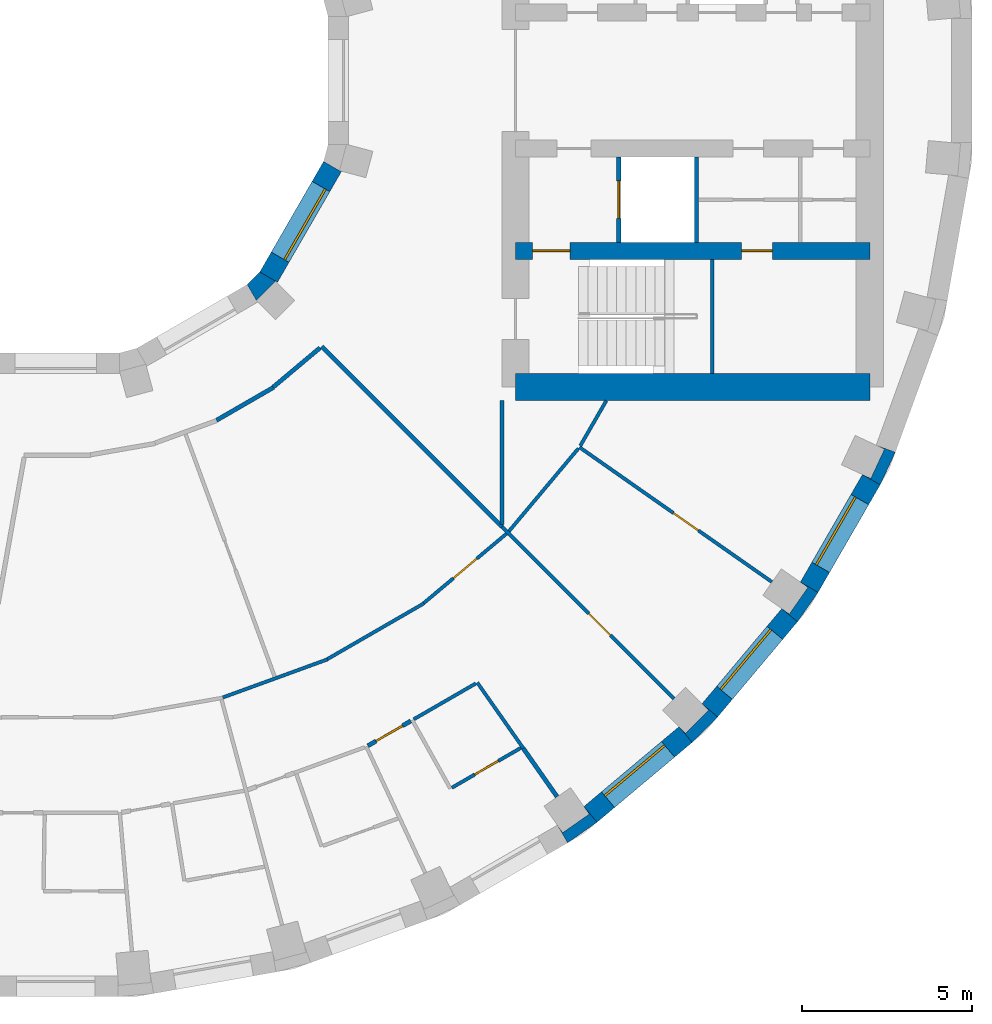
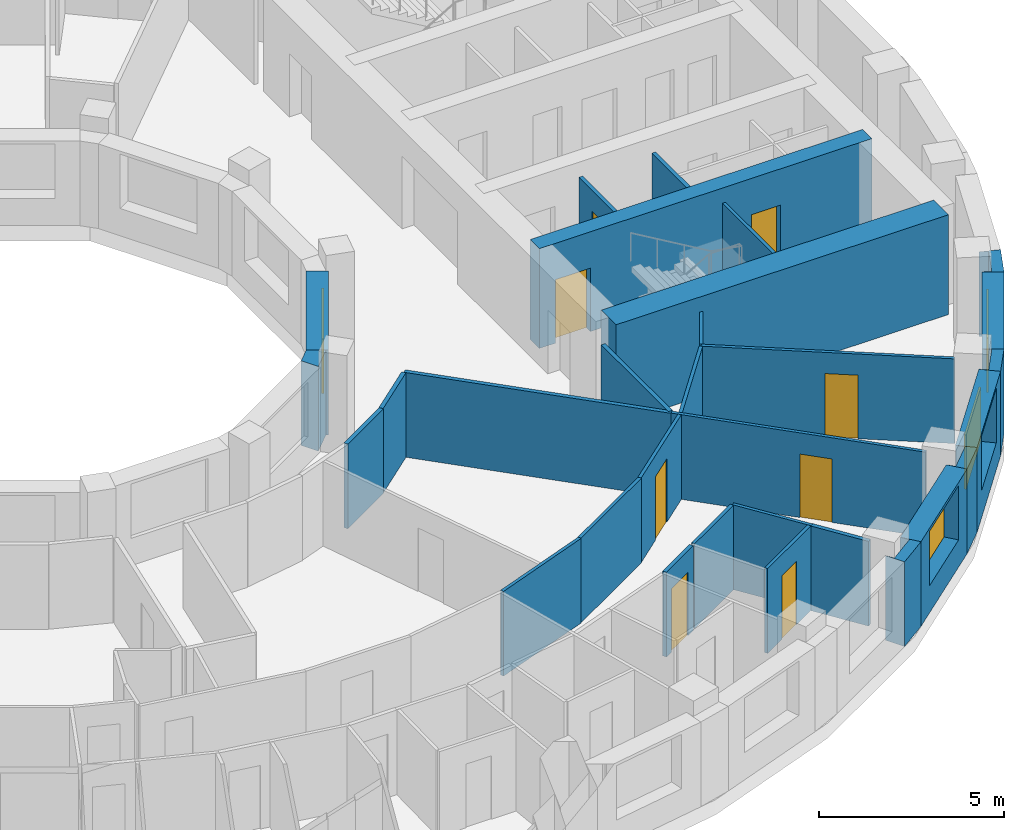
# One storey, part 8 of 14: 30 walls, 8 doors, 4 windows, 12 openings.
"""IFC4 building model written with IfcOpenShell, lengths in metres."""

from ifc_helpers import new_model, si_unit, direction, frame, frame_2d, origin, place, context, subcontext, project, spatial, polyline, rectangle, outline, extrude, material, layer, layer_set, type_object, element, fill, save


model = new_model("IFC4")

# Units and contexts
model_context = context("Model", 3, precision=1e-05, world=origin(), true_north=direction((0.0, 1.0)))
body_context = subcontext(model_context, "Body", "Model", "MODEL_VIEW")
ifc_project = project(units=[si_unit("LENGTHUNIT", "METRE"), si_unit("AREAUNIT", "SQUARE_METRE"), si_unit("VOLUMEUNIT", "CUBIC_METRE"), si_unit("PLANEANGLEUNIT", "RADIAN"), si_unit("MASSUNIT", "GRAM", prefix="KILO")], contexts=[model_context])

# Site, building, storey
site_placement = place(None, origin())
site = spatial("IfcSite", under=ifc_project, at=site_placement, CompositionType="ELEMENT")
building_placement = place(site_placement, origin())
building = spatial("IfcBuilding", under=site, at=building_placement, Name="Saqina Gate Tower", CompositionType="ELEMENT")
storey_placement = place(building_placement, frame((0.0, 0.0, 98.5)))
storey = spatial("IfcBuildingStorey", under=building, at=storey_placement, Name="L27", CompositionType="ELEMENT", Elevation=98.5)

# Walls
ifc_material_1 = material(Name="Brick masonry (buff)", Category="masonry")
wall_type_1 = type_object("IfcWallType", Name="BRICK PIER COPING BUFF", PredefinedType="SOLIDWALL", material=ifc_material_1)
wall_1_placement = place(storey_placement, origin())
element("IfcWall", 1, at=wall_1_placement, inside=storey, type_object=wall_type_1, Name="Pier cap L27 column 31", PredefinedType="SOLIDWALL", context=body_context, shape_type="SweptSolid", body=[
    extrude(outline(polyline([(15.89208984375, -21.77685546875), (15.50634765625, -21.317138671875), (15.66064453125, -21.53759765625), (14.88232421875, -22.08251953125), (14.728271484375, -21.862060546875), (15.0283203125, -22.3818359375), (15.89208984375, -21.77685546875)])), origin(), (0.0, 0.0, 1.0), 2.800048828125),
])
wall_2_placement = place(storey_placement, origin())
element("IfcWall", 2, at=wall_2_placement, inside=storey, type_object=wall_type_1, Name="Pier cap L27 column 32", PredefinedType="SOLIDWALL", context=body_context, shape_type="SweptSolid", body=[
    extrude(outline(polyline([(18.686279296875, -19.43212890625), (19.43212890625, -18.686279296875), (18.972412109375, -18.30078125), (19.16259765625, -18.49072265625), (18.49072265625, -19.16259765625), (18.30078125, -18.972412109375), (18.686279296875, -19.43212890625)])), origin(), (0.0, 0.0, 1.0), 2.800048828125),
])
wall_3_placement = place(storey_placement, origin())
element("IfcWall", 3, at=wall_3_placement, inside=storey, type_object=wall_type_1, Name="Pier cap L27 column 33", PredefinedType="SOLIDWALL", context=body_context, shape_type="SweptSolid", body=[
    extrude(outline(polyline([(22.3818359375, -15.0283203125), (21.862060546875, -14.728271484375), (22.08251953125, -14.88232421875), (21.53759765625, -15.66064453125), (21.317138671875, -15.50634765625), (21.77685546875, -15.89208984375), (22.3818359375, -15.0283203125)])), origin(), (0.0, 0.0, 1.0), 2.800048828125),
])
wall_4_placement = place(storey_placement, origin())
element("IfcWall", 4, at=wall_4_placement, inside=storey, type_object=wall_type_1, Name="Pier cap L27 column 34", PredefinedType="SOLIDWALL", context=body_context, shape_type="SweptSolid", body=[
    extrude(outline(polyline([(24.6513671875, -10.913330078125), (24.08740234375, -10.7080078125), (24.331298828125, -10.82177734375), (23.9296875, -11.6826171875), (23.68603515625, -11.569091796875), (24.205810546875, -11.869140625), (24.6513671875, -10.913330078125)])), origin(), (0.0, 0.0, 1.0), 2.800048828125),
])

# Wall, opening, window
ifc_material_2 = material(Name="Brick masonry (buff)", Category="masonry")
ifc_layer_1 = layer(ifc_material_2, 0.60009765625)
ifc_layer_set_1 = layer_set([ifc_layer_1], Name="FW-BRICK-BUFF")
wall_type_2 = type_object("IfcWallType", Name="FW-BRICK-BUFF", PredefinedType="SOLIDWALL", material=ifc_layer_set_1)
wall_5_placement = place(storey_placement, frame((15.69921875, -21.547119140625, 0.0), z_axis=(0.0, 0.0, 1.0), x_axis=(0.766055462616, 0.642774476932, 0.0)))
wall_5 = element("IfcWall", 5, at=wall_5_placement, inside=storey, type_object=wall_type_2, Name="Facade wall L27 facet 31", PredefinedType="SOLIDWALL", context=body_context, shape_type="SweptSolid", body=[
    extrude(rectangle(XDim=3.647705078125, YDim=0.60009765625, at=frame_2d((1.82373046875, 0.0))), origin(), (0.0, 0.0, 1.0), 2.800048828125),
])
opening_1_placement = place(wall_5_placement, frame((0.673828125, 0.0, 0.89990234375)))
opening_1 = element("IfcOpeningElement", 6, at=opening_1_placement, cuts=wall_5, Name="Opening G07-W20", PredefinedType="OPENING", context=body_context, shape_type="SweptSolid", body=[
    extrude(rectangle(XDim=2.300048828125, YDim=1.800048828125, at=frame_2d((1.14990234375, 0.89990234375))), frame((0.0, 0.31201171875, 0.0), z_axis=(0.0, -1.0, 0.0), x_axis=(1.0, 0.0, 0.0)), (0.0, 0.0, 1.0), 0.6240234375),
])
ifc_material_3 = material(Name="Aluminium glazing", Category="aluminium")
window_type_1 = type_object("IfcWindowType", Name="WN-B", PartitioningType="SINGLE_PANEL", PredefinedType="WINDOW", material=ifc_material_3)
window_1_placement = place(opening_1_placement, origin())
window_1 = element("IfcWindow", 7, at=window_1_placement, inside=storey, type_object=window_type_1, Name="Window L27 facet 31", OverallHeight=1.800048828125, OverallWidth=2.300048828125, PartitioningType="SINGLE_PANEL", PredefinedType="WINDOW", context=body_context, shape_type="SweptSolid", body=[
    extrude(rectangle(XDim=2.300048828125, YDim=1.800048828125, at=frame_2d((1.14990234375, 0.89990234375))), frame((0.0, 0.179931640625, 0.0), z_axis=(0.0, -1.0, 0.0), x_axis=(1.0, 0.0, 0.0)), (0.0, 0.0, 1.0), 0.06005859375),
])
fill(opening_1, window_1)

wall_6_placement = place(storey_placement, frame((19.202392578125, -18.49365234375, 0.0), z_axis=(0.0, 0.0, 1.0), x_axis=(0.642774476932, 0.766055462616, 0.0)))
wall_6 = element("IfcWall", 8, at=wall_6_placement, inside=storey, type_object=wall_type_2, Name="Facade wall L27 facet 32", PredefinedType="SOLIDWALL", context=body_context, shape_type="SweptSolid", body=[
    extrude(rectangle(XDim=3.647705078125, YDim=0.60009765625, at=frame_2d((1.82373046875, 0.0))), origin(), (0.0, 0.0, 1.0), 2.800048828125),
])
opening_2_placement = place(wall_6_placement, frame((0.673828125, 0.0, 0.89990234375)))
opening_2 = element("IfcOpeningElement", 9, at=opening_2_placement, cuts=wall_6, Name="Opening G07-W21", PredefinedType="OPENING", context=body_context, shape_type="SweptSolid", body=[
    extrude(rectangle(XDim=2.300048828125, YDim=1.800048828125, at=frame_2d((1.14990234375, 0.89990234375))), frame((0.0, 0.31201171875, 0.0), z_axis=(0.0, -1.0, 0.0), x_axis=(1.0, 0.0, 0.0)), (0.0, 0.0, 1.0), 0.6240234375),
])
window_2_placement = place(opening_2_placement, origin())
window_2 = element("IfcWindow", 10, at=window_2_placement, inside=storey, type_object=window_type_1, Name="Window L27 facet 32", OverallHeight=1.800048828125, OverallWidth=2.300048828125, PartitioningType="SINGLE_PANEL", PredefinedType="WINDOW", context=body_context, shape_type="SweptSolid", body=[
    extrude(rectangle(XDim=2.300048828125, YDim=1.800048828125, at=frame_2d((1.14990234375, 0.89990234375))), frame((0.0, 0.179931640625, 0.0), z_axis=(0.0, -1.0, 0.0), x_axis=(1.0, 0.0, 0.0)), (0.0, 0.0, 1.0), 0.06005859375),
])
fill(opening_2, window_2)

wall_7_placement = place(storey_placement, frame((22.1220703125, -14.878173828125, 0.0), z_axis=(0.0, 0.0, 1.0), x_axis=(0.499954196102, 0.866051847062, 0.0)))
wall_7 = element("IfcWall", 11, at=wall_7_placement, inside=storey, type_object=wall_type_2, Name="Facade wall L27 facet 33", PredefinedType="SOLIDWALL", context=body_context, shape_type="SweptSolid", body=[
    extrude(rectangle(XDim=3.647705078125, YDim=0.60009765625, at=frame_2d((1.82373046875, 0.0))), origin(), (0.0, 0.0, 1.0), 2.800048828125),
])
opening_3_placement = place(wall_7_placement, frame((0.673828125, 0.0, 0.89990234375)))
opening_3 = element("IfcOpeningElement", 12, at=opening_3_placement, cuts=wall_7, Name="Opening G07-W22", PredefinedType="OPENING", context=body_context, shape_type="SweptSolid", body=[
    extrude(rectangle(XDim=2.300048828125, YDim=1.800048828125, at=frame_2d((1.14990234375, 0.89990234375))), frame((0.0, 0.31201171875, 0.0), z_axis=(0.0, -1.0, 0.0), x_axis=(1.0, 0.0, 0.0)), (0.0, 0.0, 1.0), 0.6240234375),
])
window_3_placement = place(opening_3_placement, origin())
window_3 = element("IfcWindow", 13, at=window_3_placement, inside=storey, type_object=window_type_1, Name="Window L27 facet 33", OverallHeight=1.800048828125, OverallWidth=2.300048828125, PartitioningType="SINGLE_PANEL", PredefinedType="WINDOW", context=body_context, shape_type="SweptSolid", body=[
    extrude(rectangle(XDim=2.300048828125, YDim=1.800048828125, at=frame_2d((1.14990234375, 0.89990234375))), frame((0.0, 0.179931640625, 0.0), z_axis=(0.0, -1.0, 0.0), x_axis=(1.0, 0.0, 0.0)), (0.0, 0.0, 1.0), 0.06005859375),
])
fill(opening_3, window_3)

ifc_material_4 = material(Name="Glazed ceramic tile", Category="ceramic")
ifc_layer_2 = layer(ifc_material_4, 0.60009765625)
ifc_layer_set_2 = layer_set([ifc_layer_2], Name="IW-TILE")
wall_type_3 = type_object("IfcWallType", Name="IW-TILE", PredefinedType="SOLIDWALL", material=ifc_layer_set_2)
wall_8_placement = place(storey_placement, frame((6.251220703125, -5.772705078125, 0.0), z_axis=(0.0, 0.0, 1.0), x_axis=(0.499964958637, 0.86604563398, 0.0)))
wall_8 = element("IfcWall", 14, at=wall_8_placement, inside=storey, type_object=wall_type_3, Name="Well wall L27 facet 11", PredefinedType="SOLIDWALL", context=body_context, shape_type="SweptSolid", body=[
    extrude(rectangle(XDim=3.747314453125, YDim=0.60009765625, at=frame_2d((1.87353515625, 0.0))), origin(), (0.0, 0.0, 1.0), 2.800048828125),
])
opening_4_placement = place(wall_8_placement, frame((0.673583984375, 0.0, 0.89990234375)))
opening_4 = element("IfcOpeningElement", 15, at=opening_4_placement, cuts=wall_8, Name="Opening G07-W33", PredefinedType="OPENING", context=body_context, shape_type="SweptSolid", body=[
    extrude(rectangle(XDim=2.39990234375, YDim=1.800048828125, at=frame_2d((1.199951171875, 0.89990234375))), frame((0.0, 0.31201171875, 0.0), z_axis=(0.0, -1.0, 0.0), x_axis=(1.0, 0.0, 0.0)), (0.0, 0.0, 1.0), 0.6240234375),
])
ifc_material_5 = material(Name="Aluminium glazing", Category="aluminium")
window_type_2 = type_object("IfcWindowType", Name="WN-W", PartitioningType="SINGLE_PANEL", PredefinedType="WINDOW", material=ifc_material_5)
window_4_placement = place(opening_4_placement, origin())
window_4 = element("IfcWindow", 16, at=window_4_placement, inside=storey, type_object=window_type_2, Name="Well window L27 facet 11", OverallHeight=1.800048828125, OverallWidth=2.39990234375, PartitioningType="SINGLE_PANEL", PredefinedType="WINDOW", context=body_context, shape_type="SweptSolid", body=[
    extrude(rectangle(XDim=2.39990234375, YDim=1.800048828125, at=frame_2d((1.199951171875, 0.89990234375))), frame((0.0, -0.119873046875, 0.0), z_axis=(0.0, -1.0, 0.0), x_axis=(1.0, 0.0, 0.0)), (0.0, 0.0, 1.0), 0.06005859375),
])
fill(opening_4, window_4)

# Wall
ifc_material_6 = material(Name="Gypsum board on steel studs, 100 mm", Category="steel")
ifc_layer_3 = layer(ifc_material_6, 0.10009765625)
ifc_layer_set_3 = layer_set([ifc_layer_3], Name="PARTITION 100")
wall_type_4 = type_object("IfcWallType", Name="PARTITION 100", PredefinedType="PARTITIONING", material=ifc_layer_set_3)
wall_9_placement = place(storey_placement, frame((12.376953125, -17.677001953125, 0.0), z_axis=(0.0, 0.0, 1.0), x_axis=(0.573802663203, -0.818993591978, 0.0)))
element("IfcWall", 17, at=wall_9_placement, inside=storey, type_object=wall_type_4, Name="PARTITION PW3-14", PredefinedType="PARTITIONING", context=body_context, shape_type="SweptSolid", body=[
    extrude(rectangle(XDim=2.35888671875, YDim=0.10009765625, at=frame_2d((1.179443359375, 0.0))), origin(), (0.0, 0.0, 1.0), 2.800048828125),
])

# Wall, opening, door
wall_10_placement = place(storey_placement, frame((13.10009765625, -13.10009765625, 0.0), z_axis=(0.0, 0.0, 1.0), x_axis=(0.707106781187, -0.707106781187, 0.0)))
wall_10 = element("IfcWall", 18, at=wall_10_placement, inside=storey, type_object=wall_type_4, Name="PARTITION PW3-22", PredefinedType="PARTITIONING", context=body_context, shape_type="SweptSolid", body=[
    extrude(rectangle(XDim=7.138671875, YDim=0.10009765625, at=frame_2d((3.5693359375, 0.0))), origin(), (0.0, 0.0, 1.0), 2.800048828125),
])
opening_5_placement = place(wall_10_placement, frame((3.60888671875, 0.0, 0.0)))
opening_5 = element("IfcOpeningElement", 19, at=opening_5_placement, cuts=wall_10, Name="Opening G07-D49", PredefinedType="OPENING", context=body_context, shape_type="SweptSolid", body=[
    extrude(rectangle(XDim=0.89990234375, YDim=2.10009765625, at=frame_2d((0.449951171875, 1.050048828125))), frame((0.0, 0.06201171875, 0.0), z_axis=(0.0, -1.0, 0.0), x_axis=(1.0, 0.0, 0.0)), (0.0, 0.0, 1.0), 0.1240234375),
])
ifc_material_7 = material(Name="Timber door leaf, 900 mm", Category="wood")
door_type_1 = type_object("IfcDoorType", Name="DOOR 900 TIMBER", OperationType="SINGLE_SWING_LEFT", PredefinedType="DOOR", material=ifc_material_7)
door_1_placement = place(opening_5_placement, frame((0.89990234375, 0.0, 0.0), z_axis=(0.0, 0.0, 1.0), x_axis=(-1.0, 0.0, 0.0)))
door_1 = element("IfcDoor", 20, at=door_1_placement, inside=storey, type_object=door_type_1, Name="DOOR G07-D49", OperationType="SINGLE_SWING_LEFT", OverallHeight=2.10009765625, OverallWidth=0.89990234375, PredefinedType="DOOR", context=body_context, shape_type="SweptSolid", body=[
    extrude(rectangle(XDim=0.89990234375, YDim=2.10009765625, at=frame_2d((0.449951171875, 1.050048828125))), frame((0.0, 0.02490234375, 0.0), z_axis=(0.0, -1.0, 0.0), x_axis=(1.0, 0.0, 0.0)), (0.0, 0.0, 1.0), 0.050048828125),
])
fill(opening_5, door_1)

wall_11_placement = place(storey_placement, frame((15.3759765625, -10.76611328125, 0.0), z_axis=(0.0, 0.0, 1.0), x_axis=(0.819178682921, -0.573538390562, 0.0)))
wall_11 = element("IfcWall", 21, at=wall_11_placement, inside=storey, type_object=wall_type_4, Name="PARTITION PW3-29", PredefinedType="PARTITIONING", context=body_context, shape_type="SweptSolid", body=[
    extrude(rectangle(XDim=6.89453125, YDim=0.10009765625, at=frame_2d((3.447265625, 0.0))), origin(), (0.0, 0.0, 1.0), 2.800048828125),
])
opening_6_placement = place(wall_11_placement, frame((3.36474609375, 0.0, 0.0)))
opening_6 = element("IfcOpeningElement", 22, at=opening_6_placement, cuts=wall_11, Name="Opening G07-D50", PredefinedType="OPENING", context=body_context, shape_type="SweptSolid", body=[
    extrude(rectangle(XDim=0.89990234375, YDim=2.10009765625, at=frame_2d((0.449951171875, 1.050048828125))), frame((0.0, 0.06201171875, 0.0), z_axis=(0.0, -1.0, 0.0), x_axis=(1.0, 0.0, 0.0)), (0.0, 0.0, 1.0), 0.1240234375),
])
door_2_placement = place(opening_6_placement, origin())
door_2 = element("IfcDoor", 23, at=door_2_placement, inside=storey, type_object=door_type_1, Name="DOOR G07-D50", OperationType="SINGLE_SWING_RIGHT", OverallHeight=2.10009765625, OverallWidth=0.89990234375, PredefinedType="DOOR", context=body_context, shape_type="SweptSolid", body=[
    extrude(rectangle(XDim=0.89990234375, YDim=2.10009765625, at=frame_2d((0.449951171875, 1.050048828125))), frame((0.0, 0.02490234375, 0.0), z_axis=(0.0, -1.0, 0.0), x_axis=(1.0, 0.0, 0.0)), (0.0, 0.0, 1.0), 0.050048828125),
])
fill(opening_6, door_2)

# Wall
wall_12_placement = place(storey_placement, frame((4.905029296875, -18.114013671875, 0.0), z_axis=(0.0, 0.0, 1.0), x_axis=(0.939675767225, 0.342066444554, 0.0)))
element("IfcWall", 24, at=wall_12_placement, inside=storey, type_object=wall_type_4, Name="PARTITION PW3-67", PredefinedType="PARTITIONING", context=body_context, shape_type="SweptSolid", body=[
    extrude(rectangle(XDim=3.273193359375, YDim=0.10009765625, at=frame_2d((1.63671875, 0.0))), origin(), (0.0, 0.0, 1.0), 2.800048828125),
])

# Wall, opening, door
wall_13_placement = place(storey_placement, frame((11.63134765625, -20.762939453125, 0.0), z_axis=(0.0, 0.0, 1.0), x_axis=(0.866102146699, 0.499867053809, 0.0)))
wall_13 = element("IfcWall", 25, at=wall_13_placement, inside=storey, type_object=wall_type_4, Name="PARTITION PW3-71", PredefinedType="PARTITIONING", context=body_context, shape_type="SweptSolid", body=[
    extrude(rectangle(XDim=2.338623046875, YDim=0.10009765625, at=frame_2d((1.16943359375, 0.0))), origin(), (0.0, 0.0, 1.0), 2.800048828125),
])
opening_7_placement = place(wall_13_placement, frame((0.7705078125, 0.0, 0.0)))
opening_7 = element("IfcOpeningElement", 26, at=opening_7_placement, cuts=wall_13, Name="Opening G07-D47", PredefinedType="OPENING", context=body_context, shape_type="SweptSolid", body=[
    extrude(rectangle(XDim=0.800048828125, YDim=2.10009765625, at=frame_2d((0.39990234375, 1.050048828125))), frame((0.0, 0.06201171875, 0.0), z_axis=(0.0, -1.0, 0.0), x_axis=(1.0, 0.0, 0.0)), (0.0, 0.0, 1.0), 0.1240234375),
])
ifc_material_8 = material(Name="Timber door leaf, 800 mm", Category="wood")
door_type_2 = type_object("IfcDoorType", Name="DOOR 800 TIMBER", OperationType="SINGLE_SWING_LEFT", PredefinedType="DOOR", material=ifc_material_8)
door_3_placement = place(opening_7_placement, frame((0.800048828125, 0.0, 0.0), z_axis=(0.0, 0.0, 1.0), x_axis=(-1.0, 0.0, 0.0)))
door_3 = element("IfcDoor", 27, at=door_3_placement, inside=storey, type_object=door_type_2, Name="DOOR G07-D47", OperationType="SINGLE_SWING_LEFT", OverallHeight=2.10009765625, OverallWidth=0.800048828125, PredefinedType="DOOR", context=body_context, shape_type="SweptSolid", body=[
    extrude(rectangle(XDim=0.800048828125, YDim=2.10009765625, at=frame_2d((0.39990234375, 1.050048828125))), frame((0.0, 0.02490234375, 0.0), z_axis=(0.0, -1.0, 0.0), x_axis=(1.0, 0.0, 0.0)), (0.0, 0.0, 1.0), 0.050048828125),
])
fill(opening_7, door_3)

# Walls
wall_14_placement = place(storey_placement, frame((10.51123046875, -18.75390625, 0.0), z_axis=(0.0, 0.0, 1.0), x_axis=(0.866117845619, 0.499839851853, 0.0)))
element("IfcWall", 28, at=wall_14_placement, inside=storey, type_object=wall_type_4, Name="PARTITION PW3-72", PredefinedType="PARTITIONING", context=body_context, shape_type="SweptSolid", body=[
    extrude(rectangle(XDim=2.100341796875, YDim=0.10009765625, at=frame_2d((1.05029296875, 0.0))), origin(), (0.0, 0.0, 1.0), 2.800048828125),
])
wall_15_placement = place(storey_placement, frame((7.976318359375, -16.987060546875, 0.0), z_axis=(0.0, 0.0, 1.0), x_axis=(0.865970626093, 0.500094865745, 0.0)))
element("IfcWall", 29, at=wall_15_placement, inside=storey, type_object=wall_type_4, Name="PARTITION PW3-73", PredefinedType="PARTITIONING", context=body_context, shape_type="SweptSolid", body=[
    extrude(rectangle(XDim=3.272216796875, YDim=0.10009765625, at=frame_2d((1.63623046875, 0.0))), origin(), (0.0, 0.0, 1.0), 2.800048828125),
])

# Wall, opening, door
wall_16_placement = place(storey_placement, frame((10.80419921875, -15.34375, 0.0), z_axis=(0.0, 0.0, 1.0), x_axis=(0.766167094934, 0.642641410618, 0.0)))
wall_16 = element("IfcWall", 30, at=wall_16_placement, inside=storey, type_object=wall_type_4, Name="PARTITION PW3-78", PredefinedType="PARTITIONING", context=body_context, shape_type="SweptSolid", body=[
    extrude(rectangle(XDim=3.172119140625, YDim=0.10009765625, at=frame_2d((1.5859375, 0.0))), origin(), (0.0, 0.0, 1.0), 2.800048828125),
])
opening_8_placement = place(wall_16_placement, frame((1.135986328125, 0.0, 0.0)))
opening_8 = element("IfcOpeningElement", 31, at=opening_8_placement, cuts=wall_16, Name="Opening G07-D48", PredefinedType="OPENING", context=body_context, shape_type="SweptSolid", body=[
    extrude(rectangle(XDim=0.89990234375, YDim=2.10009765625, at=frame_2d((0.449951171875, 1.050048828125))), frame((0.0, 0.06201171875, 0.0), z_axis=(0.0, -1.0, 0.0), x_axis=(1.0, 0.0, 0.0)), (0.0, 0.0, 1.0), 0.1240234375),
])
door_4_placement = place(opening_8_placement, origin())
door_4 = element("IfcDoor", 32, at=door_4_placement, inside=storey, type_object=door_type_1, Name="DOOR G07-D48", OperationType="SINGLE_SWING_LEFT", OverallHeight=2.10009765625, OverallWidth=0.89990234375, PredefinedType="DOOR", context=body_context, shape_type="SweptSolid", body=[
    extrude(rectangle(XDim=0.89990234375, YDim=2.10009765625, at=frame_2d((0.449951171875, 1.050048828125))), frame((0.0, 0.02490234375, 0.0), z_axis=(0.0, -1.0, 0.0), x_axis=(1.0, 0.0, 0.0)), (0.0, 0.0, 1.0), 0.050048828125),
])
fill(opening_8, door_4)

# Walls
wall_17_placement = place(storey_placement, frame((13.30517578125, -13.234619140625, 0.0), z_axis=(0.0, 0.0, 1.0), x_axis=(0.642641410618, 0.766167094934, 0.0)))
element("IfcWall", 33, at=wall_17_placement, inside=storey, type_object=wall_type_4, Name="PARTITION PW3-82", PredefinedType="PARTITIONING", context=body_context, shape_type="SweptSolid", body=[
    extrude(rectangle(XDim=3.172119140625, YDim=0.10009765625, at=frame_2d((1.5859375, 0.0))), origin(), (0.0, 0.0, 1.0), 2.800048828125),
])
wall_18_placement = place(storey_placement, frame((15.401123046875, -10.72265625, 0.0), z_axis=(0.0, 0.0, 1.0), x_axis=(0.500035603698, 0.866004847004, 0.0)))
element("IfcWall", 34, at=wall_18_placement, inside=storey, type_object=wall_type_4, Name="PARTITION PW3-88", PredefinedType="PARTITIONING", context=body_context, shape_type="SweptSolid", body=[
    extrude(rectangle(XDim=1.52978515625, YDim=0.10009765625, at=frame_2d((0.764892578125, 0.0))), origin(), (0.0, 0.0, 1.0), 2.800048828125),
])
ifc_material_9 = material(Name="Gypsum board on steel studs, 125 mm, fire rated", Category="steel")
ifc_layer_4 = layer(ifc_material_9, 0.125)
ifc_layer_set_4 = layer_set([ifc_layer_4], Name="PARTITION EI 30 125")
wall_type_5 = type_object("IfcWallType", Name="PARTITION EI 30 125", PredefinedType="PARTITIONING", material=ifc_layer_set_4)
wall_19_placement = place(storey_placement, frame((13.728515625, -19.610107421875, 0.0), z_axis=(0.0, 0.0, 1.0), x_axis=(0.5734149023, -0.819265127917, 0.0)))
element("IfcWall", 35, at=wall_19_placement, inside=storey, type_object=wall_type_5, Name="PARTITION PW1-06", PredefinedType="PARTITIONING", context=body_context, shape_type="SweptSolid", body=[
    extrude(rectangle(XDim=1.726806640625, YDim=0.125, at=frame_2d((0.86328125, 0.0))), origin(), (0.0, 0.0, 1.0), 2.800048828125),
])
wall_20_placement = place(storey_placement, frame((7.80810546875, -7.80810546875, 0.0), z_axis=(0.0, 0.0, 1.0), x_axis=(0.707106781187, -0.707106781187, 0.0)))
element("IfcWall", 36, at=wall_20_placement, inside=storey, type_object=wall_type_5, Name="PARTITION PW1-10", PredefinedType="PARTITIONING", context=body_context, shape_type="SweptSolid", body=[
    extrude(rectangle(XDim=7.48388671875, YDim=0.125, at=frame_2d((3.741943359375, 0.0))), origin(), (0.0, 0.0, 1.0), 2.800048828125),
])

# Wall, opening, door
wall_21_placement = place(storey_placement, frame((9.163330078125, -19.532958984375, 0.0), z_axis=(0.0, 0.0, 1.0), x_axis=(0.865819905352, 0.500355764928, 0.0)))
wall_21 = element("IfcWall", 37, at=wall_21_placement, inside=storey, type_object=wall_type_5, Name="PARTITION PW1-39", PredefinedType="PARTITIONING", context=body_context, shape_type="SweptSolid", body=[
    extrude(rectangle(XDim=1.45703125, YDim=0.125, at=frame_2d((0.728515625, 0.0))), origin(), (0.0, 0.0, 1.0), 2.800048828125),
])
opening_9_placement = place(wall_21_placement, frame((0.278564453125, 0.0, 0.0)))
opening_9 = element("IfcOpeningElement", 38, at=opening_9_placement, cuts=wall_21, Name="Opening G07-D46", PredefinedType="OPENING", context=body_context, shape_type="SweptSolid", body=[
    extrude(rectangle(XDim=0.89990234375, YDim=2.10009765625, at=frame_2d((0.449951171875, 1.050048828125))), frame((0.0, 0.074462890625, 0.0), z_axis=(0.0, -1.0, 0.0), x_axis=(1.0, 0.0, 0.0)), (0.0, 0.0, 1.0), 0.14892578125),
])
ifc_material_10 = material(Name="Fire door leaf EI 30, 900 mm")
door_type_3 = type_object("IfcDoorType", Name="DOOR 900 EI 30", OperationType="SINGLE_SWING_LEFT", PredefinedType="DOOR", material=ifc_material_10)
door_5_placement = place(opening_9_placement, origin())
door_5 = element("IfcDoor", 39, at=door_5_placement, inside=storey, type_object=door_type_3, Name="DOOR G07-D46", OperationType="SINGLE_SWING_LEFT", OverallHeight=2.10009765625, OverallWidth=0.89990234375, PredefinedType="DOOR", context=body_context, shape_type="SweptSolid", body=[
    extrude(rectangle(XDim=0.89990234375, YDim=2.10009765625, at=frame_2d((0.449951171875, 1.050048828125))), frame((0.0, 0.02490234375, 0.0), z_axis=(0.0, -1.0, 0.0), x_axis=(1.0, 0.0, 0.0)), (0.0, 0.0, 1.0), 0.050048828125),
])
fill(opening_9, door_5)

# Walls
wall_22_placement = place(storey_placement, frame((4.72119140625, -9.975830078125, 0.0), z_axis=(0.0, 0.0, 1.0), x_axis=(0.865946867621, 0.500136003959, 0.0)))
element("IfcWall", 40, at=wall_22_placement, inside=storey, type_object=wall_type_5, Name="PARTITION PW1-40", PredefinedType="PARTITIONING", context=body_context, shape_type="SweptSolid", body=[
    extrude(rectangle(XDim=1.9248046875, YDim=0.125, at=frame_2d((0.96240234375, 0.0))), origin(), (0.0, 0.0, 1.0), 2.800048828125),
])
wall_23_placement = place(storey_placement, frame((6.380859375, -9.0048828125, 0.0), z_axis=(0.0, 0.0, 1.0), x_axis=(0.766182926266, 0.642622535785, 0.0)))
element("IfcWall", 41, at=wall_23_placement, inside=storey, type_object=wall_type_5, Name="PARTITION PW1-41", PredefinedType="PARTITIONING", context=body_context, shape_type="SweptSolid", body=[
    extrude(rectangle(XDim=1.800048828125, YDim=0.125, at=frame_2d((0.89990234375, 0.0))), origin(), (0.0, 0.0, 1.0), 2.800048828125),
])
wall_24_placement = place(storey_placement, frame((13.10009765625, -13.03759765625, 0.0), z_axis=(0.0, 0.0, 1.0), x_axis=(0.0, 1.0, 0.0)))
element("IfcWall", 42, at=wall_24_placement, inside=storey, type_object=wall_type_5, Name="PARTITION PW1-49", PredefinedType="PARTITIONING", context=body_context, shape_type="SweptSolid", body=[
    extrude(rectangle(XDim=3.6376953125, YDim=0.125, at=frame_2d((1.81884765625, 0.0))), origin(), (0.0, 0.0, 1.0), 2.800048828125),
])

# Wall, opening, door
ifc_material_11 = material(Name="Autoclaved aerated concrete block", Category="concrete")
ifc_layer_5 = layer(ifc_material_11, 0.1201171875)
ifc_layer_set_5 = layer_set([ifc_layer_5], Name="SHAFT PARTITION")
wall_type_6 = type_object("IfcWallType", Name="SHAFT PARTITION", PredefinedType="PARTITIONING", material=ifc_layer_set_5)
wall_25_placement = place(storey_placement, frame((16.530029296875, -4.75, 0.0), z_axis=(0.0, 0.0, 1.0), x_axis=(0.0, 1.0, 0.0)))
wall_25 = element("IfcWall", 43, at=wall_25_placement, inside=storey, type_object=wall_type_6, Name="L27-CP-E05", PredefinedType="PARTITIONING", context=body_context, shape_type="SweptSolid", body=[
    extrude(rectangle(XDim=2.5, YDim=0.1201171875, at=frame_2d((1.25, 0.0))), origin(), (0.0, 0.0, 1.0), 2.800048828125),
])
opening_10_placement = place(wall_25_placement, frame((0.699951171875, 0.0, 0.0)))
opening_10 = element("IfcOpeningElement", 44, at=opening_10_placement, cuts=wall_25, Name="Opening G07-LD2", PredefinedType="OPENING", context=body_context, shape_type="SweptSolid", body=[
    extrude(rectangle(XDim=1.10009765625, YDim=2.10009765625, at=frame_2d((0.550048828125, 1.050048828125))), frame((0.0, 0.072021484375, 0.0), z_axis=(0.0, -1.0, 0.0), x_axis=(1.0, 0.0, 0.0)), (0.0, 0.0, 1.0), 0.14404296875),
])
ifc_material_12 = material(Name="Stainless steel", Category="steel")
door_type_4 = type_object("IfcDoorType", Name="LANDING DOOR", OperationType="DOUBLE_DOOR_SLIDING", PredefinedType="DOOR", material=ifc_material_12)
door_6_placement = place(opening_10_placement, origin())
door_6 = element("IfcDoor", 45, at=door_6_placement, inside=storey, type_object=door_type_4, Name="LANDING DOOR FF1", OperationType="DOUBLE_DOOR_SLIDING", OverallHeight=2.10009765625, OverallWidth=1.10009765625, PredefinedType="DOOR", context=body_context, shape_type="SweptSolid", body=[
    extrude(rectangle(XDim=1.10009765625, YDim=2.10009765625, at=frame_2d((0.550048828125, 1.050048828125))), frame((0.0, 0.02490234375, 0.0), z_axis=(0.0, -1.0, 0.0), x_axis=(1.0, 0.0, 0.0)), (0.0, 0.0, 1.0), 0.050048828125),
])
fill(opening_10, door_6)

# Walls
wall_26_placement = place(storey_placement, frame((18.81005859375, -4.75, 0.0), z_axis=(0.0, 0.0, 1.0), x_axis=(0.0, 1.0, 0.0)))
element("IfcWall", 46, at=wall_26_placement, inside=storey, type_object=wall_type_6, Name="L27-CP-E06", PredefinedType="PARTITIONING", context=body_context, shape_type="SweptSolid", body=[
    extrude(rectangle(XDim=2.5, YDim=0.1201171875, at=frame_2d((1.25, 0.0))), origin(), (0.0, 0.0, 1.0), 2.800048828125),
])
ifc_material_13 = material(Name="Autoclaved aerated concrete block", Category="concrete")
ifc_layer_6 = layer(ifc_material_13, 0.10009765625)
ifc_layer_set_6 = layer_set([ifc_layer_6], Name="STAIR ENCLOSURE WALL")
wall_type_7 = type_object("IfcWallType", Name="STAIR ENCLOSURE WALL", PredefinedType="PARTITIONING", material=ifc_layer_set_6)
wall_27_placement = place(storey_placement, frame((19.27001953125, -8.60009765625, 0.0), z_axis=(0.0, 0.0, 1.0), x_axis=(0.0, 1.0, 0.0)))
element("IfcWall", 47, at=wall_27_placement, inside=storey, type_object=wall_type_7, Name="L27-CP-E14", PredefinedType="PARTITIONING", context=body_context, shape_type="SweptSolid", body=[
    extrude(rectangle(XDim=3.35009765625, YDim=0.10009765625, at=frame_2d((1.675048828125, 0.0))), origin(), (0.0, 0.0, 1.0), 2.800048828125),
])

# Wall, openings, doors
ifc_material_14 = material(Name="Concrete C70/85", Category="concrete")
ifc_layer_7 = layer(ifc_material_14, 0.5)
ifc_layer_set_7 = layer_set([ifc_layer_7], Name="Concrete C70/85")
wall_type_8 = type_object("IfcWallType", Name="STR-CORE WALL-B-I", PredefinedType="SHEAR", material=ifc_layer_set_7)
wall_28_placement = place(storey_placement, frame((13.5, -5.0, 0.0), z_axis=(0.0, 0.0, 1.0), x_axis=(1.0, 0.0, 0.0)))
wall_28 = element("IfcWall", 48, at=wall_28_placement, inside=storey, type_object=wall_type_8, Name="CORE WALL L27 E-X2", PredefinedType="SHEAR", context=body_context, shape_type="SweptSolid", body=[
    extrude(rectangle(XDim=10.39990234375, YDim=0.5, at=frame_2d((5.199951171875, 0.0))), origin(), (0.0, 0.0, 1.0), 3.300048828125),
])
opening_11_placement = place(wall_28_placement, frame((6.63916015625, 0.0, 0.0)))
opening_11 = element("IfcOpeningElement", 49, at=opening_11_placement, cuts=wall_28, Name="Opening G07-D136", PredefinedType="OPENING", context=body_context, shape_type="SweptSolid", body=[
    extrude(rectangle(XDim=0.89990234375, YDim=2.10009765625, at=frame_2d((0.449951171875, 1.050048828125))), frame((0.0, 0.261962890625, 0.0), z_axis=(0.0, -1.0, 0.0), x_axis=(1.0, 0.0, 0.0)), (0.0, 0.0, 1.0), 0.52392578125),
])
opening_12_placement = place(wall_28_placement, frame((0.5, 0.0, 0.0)))
opening_12 = element("IfcOpeningElement", 50, at=opening_12_placement, cuts=wall_28, Name="Opening G07-D101", PredefinedType="OPENING", context=body_context, shape_type="SweptSolid", body=[
    extrude(rectangle(XDim=1.10009765625, YDim=2.10009765625, at=frame_2d((0.550048828125, 1.050048828125))), frame((0.0, 0.261962890625, 0.0), z_axis=(0.0, -1.0, 0.0), x_axis=(1.0, 0.0, 0.0)), (0.0, 0.0, 1.0), 0.52392578125),
])
ifc_material_15 = material(Name="Steel", Category="steel")
door_type_5 = type_object("IfcDoorType", Name="FIRE LOBBY DOOR EI 60 WIDE", OperationType="SINGLE_SWING_LEFT", PredefinedType="DOOR", material=ifc_material_15)
door_7_placement = place(opening_12_placement, frame((1.10009765625, 0.0, 0.0), z_axis=(0.0, 0.0, 1.0), x_axis=(-1.0, 0.0, 0.0)))
door_7 = element("IfcDoor", 51, at=door_7_placement, inside=storey, type_object=door_type_5, Name="L27-CD-E15", OperationType="SINGLE_SWING_RIGHT", OverallHeight=2.10009765625, OverallWidth=1.10009765625, PredefinedType="DOOR", context=body_context, shape_type="SweptSolid", body=[
    extrude(rectangle(XDim=1.10009765625, YDim=2.10009765625, at=frame_2d((0.550048828125, 1.050048828125))), frame((0.0, 0.02490234375, 0.0), z_axis=(0.0, -1.0, 0.0), x_axis=(1.0, 0.0, 0.0)), (0.0, 0.0, 1.0), 0.050048828125),
])
fill(opening_12, door_7)
ifc_material_16 = material(Name="Steel-framed fire door leaf, EI 60", Category="steel")
door_type_6 = type_object("IfcDoorType", Name="SERVICE ROOM DOOR 900", OperationType="SINGLE_SWING_LEFT", PredefinedType="DOOR", material=ifc_material_16)
door_8_placement = place(opening_11_placement, frame((0.89990234375, 0.0, 0.0), z_axis=(0.0, 0.0, 1.0), x_axis=(-1.0, 0.0, 0.0)))
door_8 = element("IfcDoor", 52, at=door_8_placement, inside=storey, type_object=door_type_6, Name="L27-CD-E14", OperationType="SINGLE_SWING_LEFT", OverallHeight=2.10009765625, OverallWidth=0.89990234375, PredefinedType="DOOR", context=body_context, shape_type="SweptSolid", body=[
    extrude(rectangle(XDim=0.89990234375, YDim=2.10009765625, at=frame_2d((0.449951171875, 1.050048828125))), frame((0.0, 0.02490234375, 0.0), z_axis=(0.0, -1.0, 0.0), x_axis=(1.0, 0.0, 0.0)), (0.0, 0.0, 1.0), 0.050048828125),
])
fill(opening_11, door_8)

# Walls
ifc_material_17 = material(Name="Concrete C70/85", Category="concrete")
ifc_layer_8 = layer(ifc_material_17, 0.800048828125)
ifc_layer_set_8 = layer_set([ifc_layer_8], Name="Concrete C70/85")
wall_type_9 = type_object("IfcWallType", Name="STR-CORE WALL-B-O", PredefinedType="SHEAR", material=ifc_layer_set_8)
wall_29_placement = place(storey_placement, frame((13.5, -9.0, 0.0), z_axis=(0.0, 0.0, 1.0), x_axis=(1.0, 0.0, 0.0)))
element("IfcWall", 53, at=wall_29_placement, inside=storey, type_object=wall_type_9, Name="CORE WALL L27 E-SE", PredefinedType="SHEAR", context=body_context, shape_type="SweptSolid", body=[
    extrude(rectangle(XDim=10.39990234375, YDim=0.800048828125, at=frame_2d((5.199951171875, 0.0))), origin(), (0.0, 0.0, 1.0), 3.300048828125),
])
ifc_material_18 = material(Name="Glazed ceramic tile", Category="ceramic")
wall_type_10 = type_object("IfcWallType", Name="TILE PIER COPING", PredefinedType="SOLIDWALL", material=ifc_material_18)
wall_30_placement = place(storey_placement, origin())
element("IfcWall", 54, at=wall_30_placement, inside=storey, type_object=wall_type_10, Name="Well pier cap L27 column 11", PredefinedType="SOLIDWALL", context=body_context, shape_type="SweptSolid", body=[
    extrude(outline(polyline([(5.891845703125, -6.45751953125), (6.45751953125, -5.891845703125), (5.991455078125, -5.622802734375), (5.622802734375, -5.991455078125), (5.891845703125, -6.45751953125)])), origin(), (0.0, 0.0, 1.0), 2.800048828125),
])

save(model, "model.ifc")
